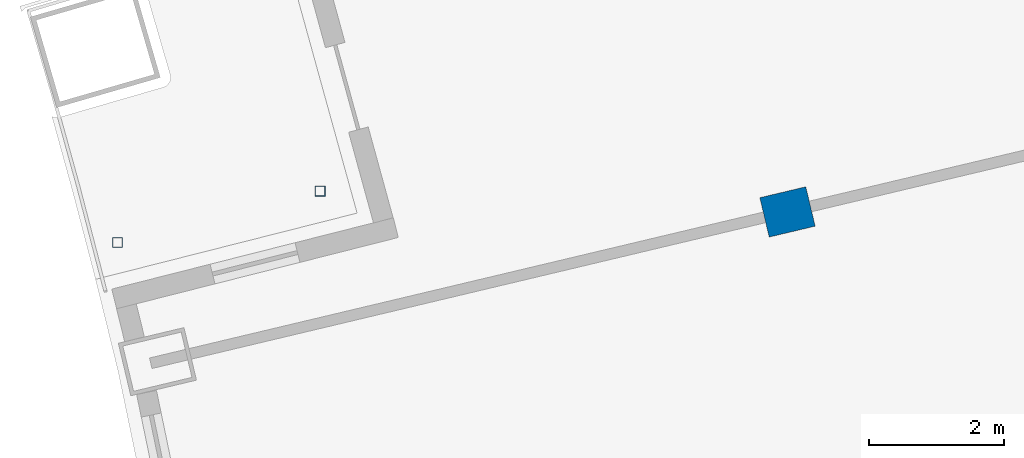
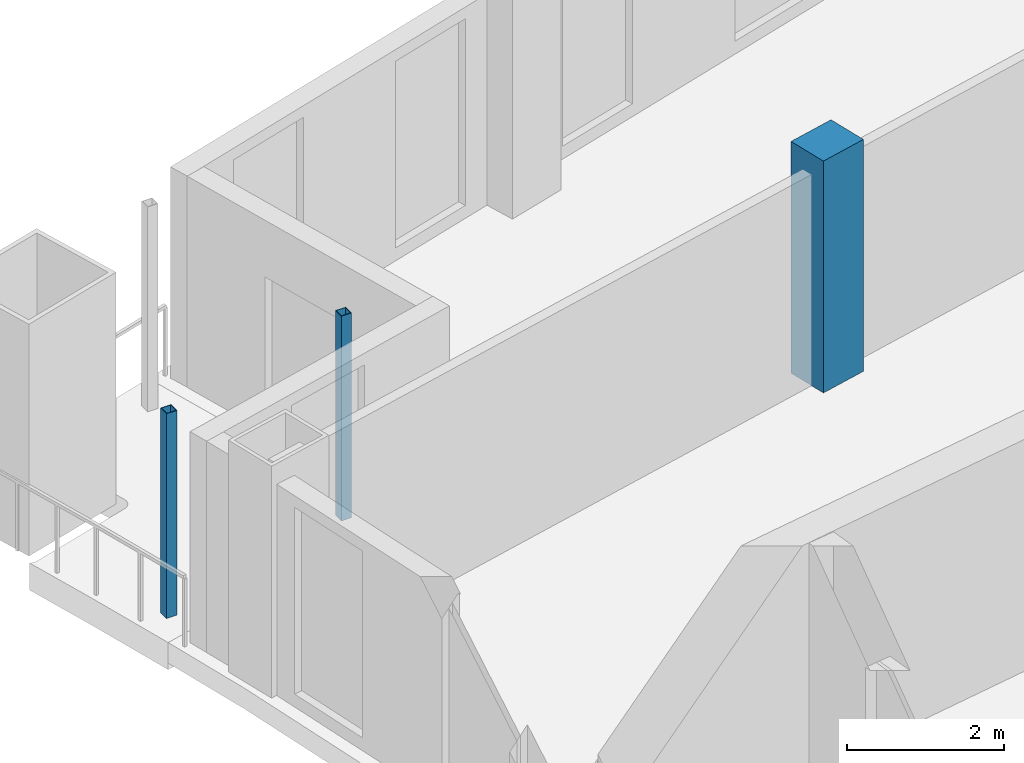
# One storey, part 3 of 15: 3 columns.
"""IFC4 building model written with IfcOpenShell, lengths in metres."""

from ifc_helpers import new_model, si_unit, direction, frame, origin, origin_2d, place, context, subcontext, project, spatial, rectangle, hollow_rectangle, extrude, material, material_profile, profile_set, type_object, element, save


model = new_model("IFC4")

# Units and contexts
model_context = context("Model", 3, precision=1e-05, world=origin(), true_north=direction((0.0, 1.0)))
body_context = subcontext(model_context, "Body", "Model", "MODEL_VIEW")
ifc_project = project(units=[si_unit("LENGTHUNIT", "METRE"), si_unit("AREAUNIT", "SQUARE_METRE"), si_unit("VOLUMEUNIT", "CUBIC_METRE"), si_unit("PLANEANGLEUNIT", "RADIAN"), si_unit("MASSUNIT", "GRAM", prefix="KILO")], contexts=[model_context])

# Site, building, storey
site_placement = place(None, origin())
site = spatial("IfcSite", under=ifc_project, at=site_placement, CompositionType="ELEMENT")
building_placement = place(site_placement, origin())
building = spatial("IfcBuilding", under=site, at=building_placement, Name="Alderwake Tower", CompositionType="ELEMENT")
storey_placement = place(building_placement, frame((0.0, 0.0, 249.199951171875)))
storey = spatial("IfcBuildingStorey", under=building, at=storey_placement, Name="L61", CompositionType="ELEMENT", Elevation=249.199951171875)

# Columns
ifc_material_1 = material(Name="Concrete C70/85", Category="concrete")
ifc_material_profile_1 = material_profile(ifc_material_1, rectangle(XDim=0.60009765625, YDim=0.699951171875, at=origin_2d()), Name="RC 700X600")
ifc_profile_set_1 = profile_set([ifc_material_profile_1], Name="Concrete C70/85")
column_type_1 = type_object("IfcColumnType", Name="Interior column Z5", PredefinedType="COLUMN", material=ifc_profile_set_1)
column_placement = place(storey_placement, frame((23.322021484375, 85.555908203125, 0.0), z_axis=(0.0, 0.0, 1.0), x_axis=(-0.231221547198, 0.972901123502, 0.0)))
element("IfcColumn", 1, at=column_placement, inside=storey, type_object=column_type_1, Name="Column R11-C1", PredefinedType="COLUMN", context=body_context, shape_type="SweptSolid", body=[
    extrude(rectangle(XDim=0.60009765625, YDim=0.699951171875, at=origin_2d()), origin(), (0.0, 0.0, 1.0), 3.60009765625),
])
ifc_material_2 = material(Name="Steel ASTM A500 Grade C", Category="steel")
ifc_material_profile_2 = material_profile(ifc_material_2, hollow_rectangle(XDim=0.15234375, YDim=0.15234375, WallThickness=0.0087890625, at=origin_2d()), Name="HSS6X6X3/8")
ifc_profile_set_2 = profile_set([ifc_material_profile_2], Name="Steel ASTM A500 Grade C")
column_type_2 = type_object("IfcColumnType", Name="Light post HSS6X6X3/8", PredefinedType="COLUMN", material=ifc_profile_set_2)
for number, where, z_axis, x_axis, name in (
    (2, (13.3896484375, 85.103515625, 0.0), (0.0, 0.0, 1.0), (1.0, 0.0, 0.0), "Terrace post RN1"),
    (3, (16.39501953125, 85.864013671875, 0.0), (0.0, 0.0, 1.0), (1.0, 0.0, 0.0), "Terrace post RN3"),
):
    element("IfcColumn", number, at=place(storey_placement, frame(where, z_axis=z_axis, x_axis=x_axis)), inside=storey, type_object=column_type_2, Name=name, PredefinedType="COLUMN", context=body_context, shape_type="SweptSolid", body=[
        extrude(hollow_rectangle(XDim=0.15234375, YDim=0.15234375, WallThickness=0.0087890625, at=origin_2d()), origin(), (0.0, 0.0, 1.0), 3.179931640625),
    ])

save(model, "model.ifc")
